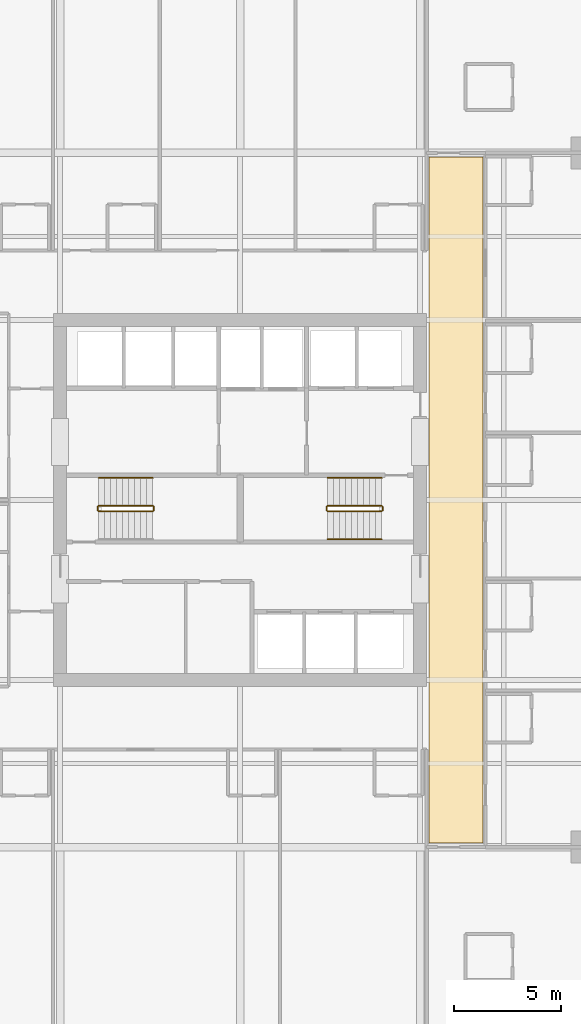
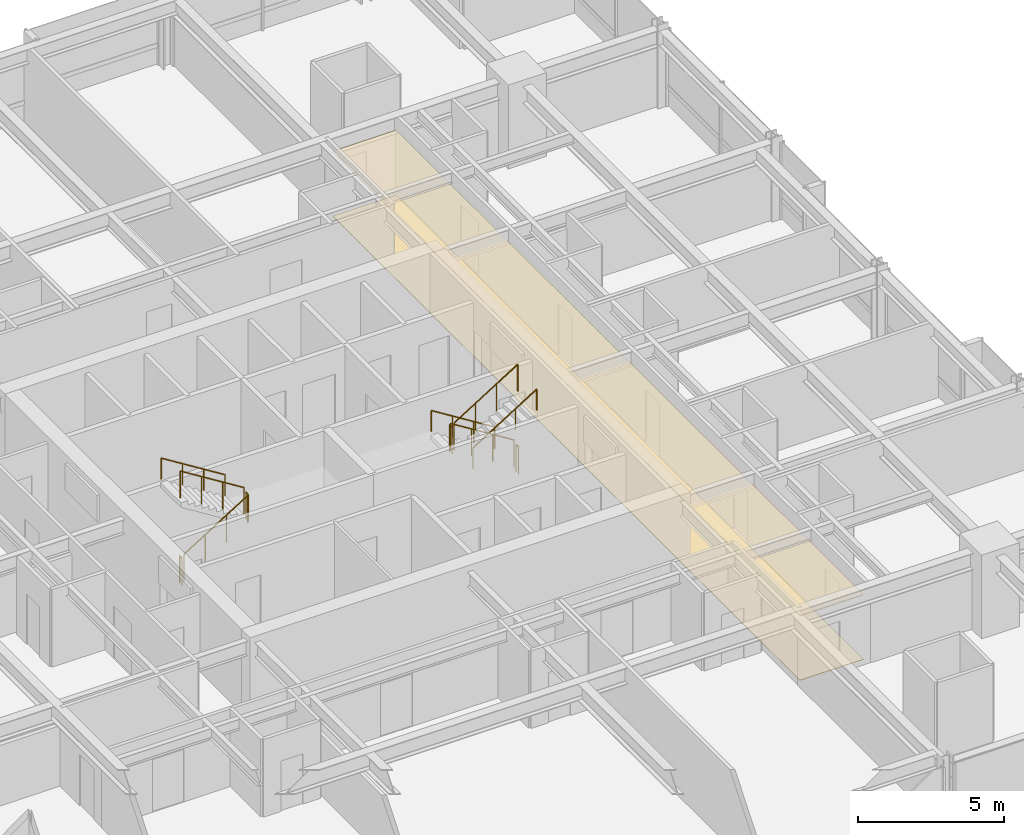
# One storey, part 34 of 35: 11 railings, 2 coverings.
"""IFC4 building model written with IfcOpenShell, lengths in metres."""

from ifc_helpers import new_model, si_unit, direction, frame, origin, origin_2d, place, context, subcontext, project, spatial, polyline, circle, outline, extrude, material, layer, layer_set, type_object, element, save


model = new_model("IFC4")

# Units and contexts
model_context = context("Model", 3, precision=1e-05, world=origin(), true_north=direction((0.0, 1.0)))
body_context = subcontext(model_context, "Body", "Model", "MODEL_VIEW")
ifc_project = project(units=[si_unit("LENGTHUNIT", "METRE"), si_unit("AREAUNIT", "SQUARE_METRE"), si_unit("VOLUMEUNIT", "CUBIC_METRE"), si_unit("PLANEANGLEUNIT", "RADIAN"), si_unit("MASSUNIT", "GRAM", prefix="KILO")], contexts=[model_context])

# Site, building, storey
site_placement = place(None, origin())
site = spatial("IfcSite", under=ifc_project, at=site_placement, CompositionType="ELEMENT")
building_placement = place(site_placement, origin())
building = spatial("IfcBuilding", under=site, at=building_placement, Name="Drelvath Grand Hotel", CompositionType="ELEMENT")
storey_placement = place(building_placement, frame((0.0, 0.0, 123.300048828125)))
storey = spatial("IfcBuildingStorey", under=building, at=storey_placement, Name="L31", CompositionType="ELEMENT", Elevation=123.300048828125)

# Railings
ifc_material_1 = material(Name="Painted Steel S275", Category="steel")
railing_type_1 = type_object("IfcRailingType", Name="Core Stair Wall Handrail 900", PredefinedType="HANDRAIL", material=ifc_material_1)
for number, where, name in (
    (1, (-4.080078125, 28.030029296875, 1.925048828125), "L31 ST-1 stair handrail 2"),
    (2, (6.60009765625, 28.030029296875, 0.175048828125), "L31 ST-2 stair handrail 1"),
):
    element("IfcRailing", number, at=place(storey_placement, frame(where)), inside=storey, type_object=railing_type_1, Name=name, PredefinedType="HANDRAIL", context=body_context, shape_type="SweptSolid", body=[
        extrude(circle(Radius=0.02392578125, at=origin_2d()), frame((0.0, 0.0, 0.8759765625), z_axis=(-0.848007534815, 0.0, 0.529984170421), x_axis=(0.0, -1.0, 0.0)), (0.0, 0.0, 1.0), 2.9716796875),
        extrude(circle(Radius=0.02099609375, at=origin_2d()), origin(), (0.0, 0.0, 1.0), 0.851806640625),
        extrude(circle(Radius=0.02099609375, at=origin_2d()), frame((-0.840087890625, 0.0, 0.52490234375)), (0.0, 0.0, 1.0), 0.851806640625),
        extrude(circle(Radius=0.02099609375, at=origin_2d()), frame((-1.679931640625, 0.0, 1.050048828125)), (0.0, 0.0, 1.0), 0.851806640625),
        extrude(circle(Radius=0.02099609375, at=origin_2d()), frame((-2.52001953125, 0.0, 1.574951171875)), (0.0, 0.0, 1.0), 0.851806640625),
    ])
railing_1_placement = place(storey_placement, frame((4.080078125, 25.169921875, 1.925048828125)))
element("IfcRailing", 3, at=railing_1_placement, inside=storey, type_object=railing_type_1, Name="L31 ST-2 stair handrail 2", PredefinedType="HANDRAIL", context=body_context, shape_type="SweptSolid", body=[
    extrude(circle(Radius=0.02392578125, at=origin_2d()), frame((0.0, 0.0, 0.8759765625), z_axis=(0.848007534815, 0.0, 0.529984170421), x_axis=(0.0, 1.0, 0.0)), (0.0, 0.0, 1.0), 2.9716796875),
    extrude(circle(Radius=0.02099609375, at=origin_2d()), origin(), (0.0, 0.0, 1.0), 0.851806640625),
    extrude(circle(Radius=0.02099609375, at=origin_2d()), frame((0.840087890625, 0.0, 0.52490234375)), (0.0, 0.0, 1.0), 0.851806640625),
    extrude(circle(Radius=0.02099609375, at=origin_2d()), frame((1.679931640625, 0.0, 1.050048828125)), (0.0, 0.0, 1.0), 0.851806640625),
    extrude(circle(Radius=0.02099609375, at=origin_2d()), frame((2.52001953125, 0.0, 1.574951171875)), (0.0, 0.0, 1.0), 0.851806640625),
])
railing_type_2 = type_object("IfcRailingType", Name="Core Stair Well Guardrail 1100", PredefinedType="GUARDRAIL", material=ifc_material_1)
railing_2_placement = place(storey_placement, frame((-6.60009765625, 26.469970703125, 0.175048828125)))
element("IfcRailing", 4, at=railing_2_placement, inside=storey, type_object=railing_type_2, Name="L31 ST-1 stair guard 1", PredefinedType="GUARDRAIL", context=body_context, shape_type="SweptSolid", body=[
    extrude(circle(Radius=0.02392578125, at=origin_2d()), frame((0.0, 0.0, 1.1259765625), z_axis=(0.848007534815, 0.0, 0.529984170421), x_axis=(0.0, 1.0, 0.0)), (0.0, 0.0, 1.0), 2.9716796875),
    extrude(circle(Radius=0.02099609375, at=origin_2d()), origin(), (0.0, 0.0, 1.0), 1.101806640625),
    extrude(circle(Radius=0.02099609375, at=origin_2d()), frame((0.840087890625, 0.0, 0.52490234375)), (0.0, 0.0, 1.0), 1.101806640625),
    extrude(circle(Radius=0.02099609375, at=origin_2d()), frame((1.679931640625, 0.0, 1.050048828125)), (0.0, 0.0, 1.0), 1.101806640625),
    extrude(circle(Radius=0.02099609375, at=origin_2d()), frame((2.52001953125, 0.0, 1.574951171875)), (0.0, 0.0, 1.0), 1.101806640625),
])
railing_3_placement = place(storey_placement, frame((-4.030029296875, 26.52001953125, 1.75)))
element("IfcRailing", 5, at=railing_3_placement, inside=storey, type_object=railing_type_2, Name="L31 ST-1 stair guard 2", PredefinedType="GUARDRAIL", context=body_context, shape_type="SweptSolid", body=[
    extrude(circle(Radius=0.02392578125, at=origin_2d()), frame((0.0, 0.0, 1.1259765625), z_axis=(0.0, 1.0, 0.0), x_axis=(-1.0, 0.0, 0.0)), (0.0, 0.0, 1.0), 0.159912109375),
    extrude(circle(Radius=0.02099609375, at=origin_2d()), origin(), (0.0, 0.0, 1.0), 1.101806640625),
    extrude(circle(Radius=0.02099609375, at=origin_2d()), frame((0.0, 0.159912109375, 0.0)), (0.0, 0.0, 1.0), 1.101806640625),
])
railing_4_placement = place(storey_placement, frame((-4.080078125, 26.72998046875, 1.925048828125)))
element("IfcRailing", 6, at=railing_4_placement, inside=storey, type_object=railing_type_2, Name="L31 ST-1 stair guard 3", PredefinedType="GUARDRAIL", context=body_context, shape_type="SweptSolid", body=[
    extrude(circle(Radius=0.02392578125, at=origin_2d()), frame((0.0, 0.0, 1.1259765625), z_axis=(-0.848007534815, 0.0, 0.529984170421), x_axis=(0.0, -1.0, 0.0)), (0.0, 0.0, 1.0), 2.9716796875),
    extrude(circle(Radius=0.02099609375, at=origin_2d()), origin(), (0.0, 0.0, 1.0), 1.101806640625),
    extrude(circle(Radius=0.02099609375, at=origin_2d()), frame((-0.840087890625, 0.0, 0.52490234375)), (0.0, 0.0, 1.0), 1.101806640625),
    extrude(circle(Radius=0.02099609375, at=origin_2d()), frame((-1.679931640625, 0.0, 1.050048828125)), (0.0, 0.0, 1.0), 1.101806640625),
    extrude(circle(Radius=0.02099609375, at=origin_2d()), frame((-2.52001953125, 0.0, 1.574951171875)), (0.0, 0.0, 1.0), 1.101806640625),
])
railing_5_placement = place(storey_placement, frame((-6.64990234375, 26.52001953125, 0.0)))
element("IfcRailing", 7, at=railing_5_placement, inside=storey, type_object=railing_type_2, Name="L31 ST-1 stair guard 4", PredefinedType="GUARDRAIL", context=body_context, shape_type="SweptSolid", body=[
    extrude(circle(Radius=0.02392578125, at=origin_2d()), frame((0.0, 0.0, 1.1259765625), z_axis=(0.0, 1.0, 0.0), x_axis=(-1.0, 0.0, 0.0)), (0.0, 0.0, 1.0), 0.159912109375),
    extrude(circle(Radius=0.02099609375, at=origin_2d()), origin(), (0.0, 0.0, 1.0), 1.101806640625),
    extrude(circle(Radius=0.02099609375, at=origin_2d()), frame((0.0, 0.159912109375, 0.0)), (0.0, 0.0, 1.0), 1.101806640625),
])
railing_6_placement = place(storey_placement, frame((6.60009765625, 26.72998046875, 0.175048828125)))
element("IfcRailing", 8, at=railing_6_placement, inside=storey, type_object=railing_type_2, Name="L31 ST-2 stair guard 1", PredefinedType="GUARDRAIL", context=body_context, shape_type="SweptSolid", body=[
    extrude(circle(Radius=0.02392578125, at=origin_2d()), frame((0.0, 0.0, 1.1259765625), z_axis=(-0.848007534815, 0.0, 0.529984170421), x_axis=(0.0, -1.0, 0.0)), (0.0, 0.0, 1.0), 2.9716796875),
    extrude(circle(Radius=0.02099609375, at=origin_2d()), origin(), (0.0, 0.0, 1.0), 1.101806640625),
    extrude(circle(Radius=0.02099609375, at=origin_2d()), frame((-0.840087890625, 0.0, 0.52490234375)), (0.0, 0.0, 1.0), 1.101806640625),
    extrude(circle(Radius=0.02099609375, at=origin_2d()), frame((-1.679931640625, 0.0, 1.050048828125)), (0.0, 0.0, 1.0), 1.101806640625),
    extrude(circle(Radius=0.02099609375, at=origin_2d()), frame((-2.52001953125, 0.0, 1.574951171875)), (0.0, 0.0, 1.0), 1.101806640625),
])
railing_7_placement = place(storey_placement, frame((4.030029296875, 26.679931640625, 1.75)))
element("IfcRailing", 9, at=railing_7_placement, inside=storey, type_object=railing_type_2, Name="L31 ST-2 stair guard 2", PredefinedType="GUARDRAIL", context=body_context, shape_type="SweptSolid", body=[
    extrude(circle(Radius=0.02392578125, at=origin_2d()), frame((0.0, 0.0, 1.1259765625), z_axis=(0.0, -1.0, 0.0), x_axis=(1.0, 0.0, 0.0)), (0.0, 0.0, 1.0), 0.159912109375),
    extrude(circle(Radius=0.02099609375, at=origin_2d()), origin(), (0.0, 0.0, 1.0), 1.101806640625),
    extrude(circle(Radius=0.02099609375, at=origin_2d()), frame((0.0, -0.159912109375, 0.0)), (0.0, 0.0, 1.0), 1.101806640625),
])
railing_8_placement = place(storey_placement, frame((4.080078125, 26.469970703125, 1.925048828125)))
element("IfcRailing", 10, at=railing_8_placement, inside=storey, type_object=railing_type_2, Name="L31 ST-2 stair guard 3", PredefinedType="GUARDRAIL", context=body_context, shape_type="SweptSolid", body=[
    extrude(circle(Radius=0.02392578125, at=origin_2d()), frame((0.0, 0.0, 1.1259765625), z_axis=(0.848007534815, 0.0, 0.529984170421), x_axis=(0.0, 1.0, 0.0)), (0.0, 0.0, 1.0), 2.9716796875),
    extrude(circle(Radius=0.02099609375, at=origin_2d()), origin(), (0.0, 0.0, 1.0), 1.101806640625),
    extrude(circle(Radius=0.02099609375, at=origin_2d()), frame((0.840087890625, 0.0, 0.52490234375)), (0.0, 0.0, 1.0), 1.101806640625),
    extrude(circle(Radius=0.02099609375, at=origin_2d()), frame((1.679931640625, 0.0, 1.050048828125)), (0.0, 0.0, 1.0), 1.101806640625),
    extrude(circle(Radius=0.02099609375, at=origin_2d()), frame((2.52001953125, 0.0, 1.574951171875)), (0.0, 0.0, 1.0), 1.101806640625),
])
railing_9_placement = place(storey_placement, frame((6.64990234375, 26.679931640625, 0.0)))
element("IfcRailing", 11, at=railing_9_placement, inside=storey, type_object=railing_type_2, Name="L31 ST-2 stair guard 4", PredefinedType="GUARDRAIL", context=body_context, shape_type="SweptSolid", body=[
    extrude(circle(Radius=0.02392578125, at=origin_2d()), frame((0.0, 0.0, 1.1259765625), z_axis=(0.0, -1.0, 0.0), x_axis=(1.0, 0.0, 0.0)), (0.0, 0.0, 1.0), 0.159912109375),
    extrude(circle(Radius=0.02099609375, at=origin_2d()), origin(), (0.0, 0.0, 1.0), 1.101806640625),
    extrude(circle(Radius=0.02099609375, at=origin_2d()), frame((0.0, -0.159912109375, 0.0)), (0.0, 0.0, 1.0), 1.101806640625),
])

# Coverings
ifc_material_2 = material(Name="Woven Wool Broadloom Carpet")
ifc_layer_1 = layer(ifc_material_2, 0.01806640625)
ifc_layer_set_1 = layer_set([ifc_layer_1], Name="Woven Wool Broadloom Carpet")
covering_type_1 = type_object("IfcCoveringType", Name="Hospitality Broadloom Carpet 18", PredefinedType="FLOORING", material=ifc_layer_set_1)
covering_1_placement = place(storey_placement, origin())
element("IfcCovering", 12, at=covering_1_placement, inside=storey, type_object=covering_type_1, Name="L31 East Spine Carpet", PredefinedType="FLOORING", context=body_context, shape_type="SweptSolid", body=[
    extrude(outline(polyline([(11.330078125, 11.0), (11.330078125, 43.0), (8.820068359375, 43.0), (8.820068359375, 11.0), (11.330078125, 11.0)])), origin(), (0.0, 0.0, 1.0), 0.01806640625),
])
ifc_material_3 = material(Name="Anodised Aluminium Alloy", Category="aluminium")
ifc_layer_2 = layer(ifc_material_3, 0.0400390625)
ifc_layer_set_2 = layer_set([ifc_layer_2], Name="Anodised Aluminium Alloy")
covering_type_2 = type_object("IfcCoveringType", Name="Perforated Metal Corridor Ceiling 40", PredefinedType="CEILING", material=ifc_layer_set_2)
covering_2_placement = place(storey_placement, frame((0.0, 0.0, 2.68994140625)))
element("IfcCovering", 13, at=covering_2_placement, inside=storey, type_object=covering_type_2, Name="L31 East Spine Ceiling", PredefinedType="CEILING", context=body_context, shape_type="SweptSolid", body=[
    extrude(outline(polyline([(11.330078125, 11.0), (11.330078125, 43.0), (8.820068359375, 43.0), (8.820068359375, 11.0), (11.330078125, 11.0)])), origin(), (0.0, 0.0, 1.0), 0.0400390625),
])

save(model, "model.ifc")
